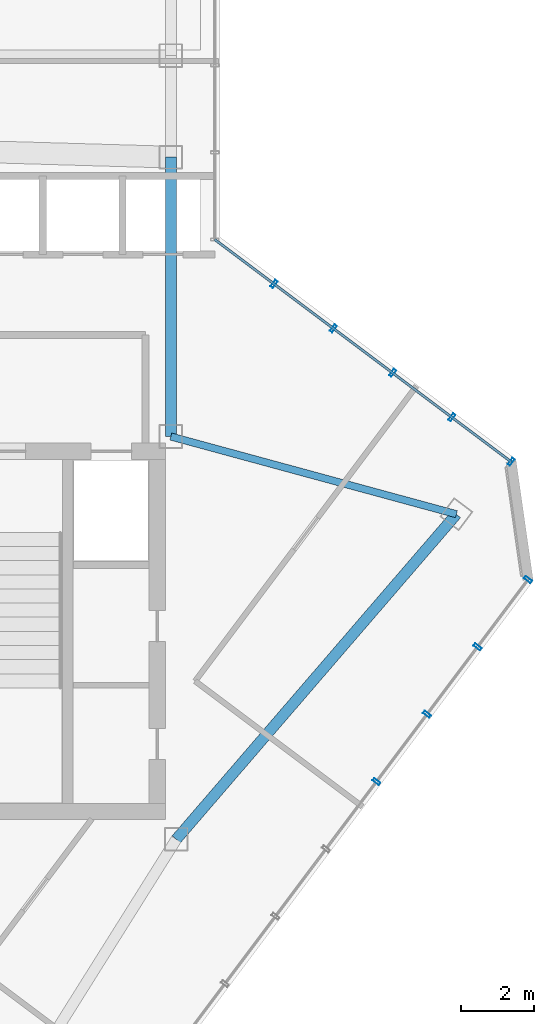
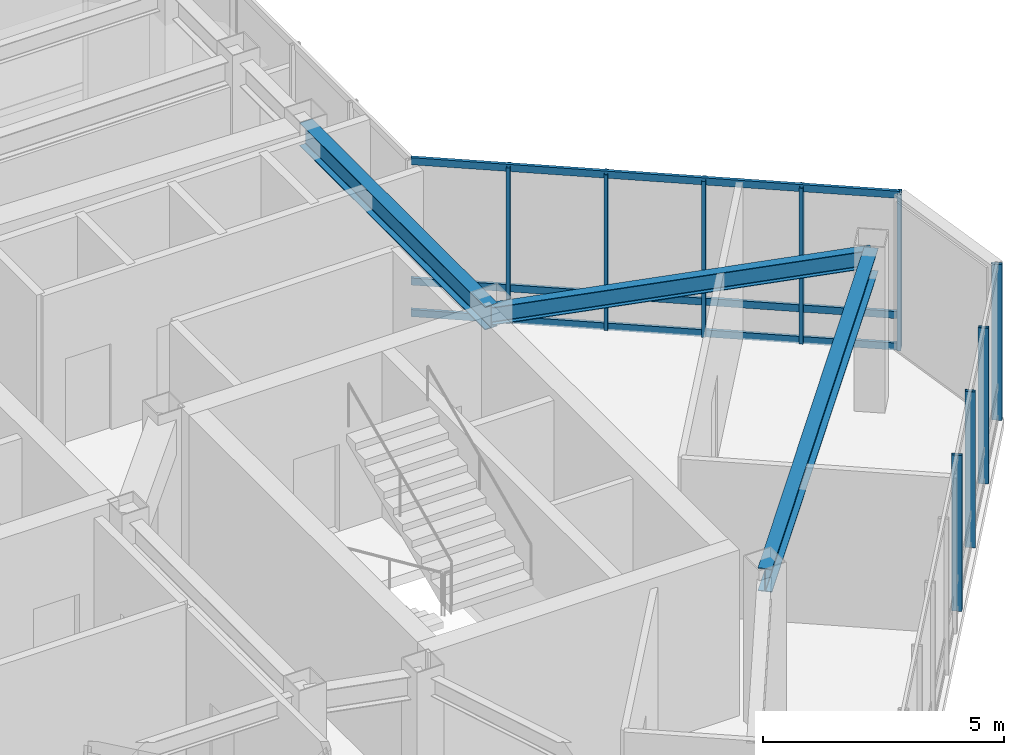
# One storey, part 11 of 22: 12 members, 3 beams, 2 elements without a shape of their own.
"""IFC4 building model written with IfcOpenShell, lengths in metres."""

import ifcopenshell
import ifcopenshell.guid

model = None  # the IFC model being written
_history = None  # IfcOwnerHistory: only IFC2X3 demands one
_inside = {}  # id of a spatial element -> (the spatial element, [elements in it])
_under = {}  # id of a project, library or spatial element -> (it, [spatial elements below it])
_declared = {}  # id of a project -> (the project, [libraries it declares])
_typed = {}  # id of a type object -> (the type object, [elements of that type])
_made_of = {}  # id of a material, layer set ... -> (it, [elements and type objects made of it])


def new_model(schema):
    """Start an empty IFC model of exactly this schema.

    Asked for "IFC4X3", IfcOpenShell would pick the latest addendum, in which some entities
    have other attributes; the version numbers below select the first issue.
    IFC2X3 requires an IfcOwnerHistory on every rooted entity: one is made here for all.
    """
    global model, _history
    if schema == "IFC4X3":
        model = ifcopenshell.file(schema_version=(4, 3, 0, 0))
    else:
        model = ifcopenshell.file(schema=schema)
    _inside.clear()
    _under.clear()
    _declared.clear()
    _typed.clear()
    _made_of.clear()
    _history = None
    if model.schema == "IFC2X3":
        org = make("IfcOrganization", Name="unknown")
        user = make(
            "IfcPersonAndOrganization",
            ThePerson=make("IfcPerson", FamilyName="unknown"),
            TheOrganization=org,
        )
        app = make(
            "IfcApplication",
            ApplicationDeveloper=org,
            Version="unknown",
            ApplicationFullName="unknown",
            ApplicationIdentifier="unknown",
        )
        _history = make(
            "IfcOwnerHistory",
            OwningUser=user,
            OwningApplication=app,
            ChangeAction="ADDED",
            CreationDate=0,
        )
    return model


def make(cls, **values):
    """One entity of the class cls with the attributes given. An attribute that is None is left unset."""
    return model.create_entity(
        cls, **{name: value for name, value in values.items() if value is not None}
    )


def rooted(cls, **values):
    """An entity with a GlobalId (a new one), such as an element, a storey or a relation."""
    return make(cls, GlobalId=ifcopenshell.guid.new(), OwnerHistory=_history, **values)


def si_unit(unit_type, name, prefix=None):
    """IfcSIUnit, for example si_unit("LENGTHUNIT", "METRE", prefix="MILLI")."""
    return make("IfcSIUnit", UnitType=unit_type, Prefix=prefix, Name=name)


def assignment(units):
    """IfcUnitAssignment: the units of a project."""
    return None if units is None else make("IfcUnitAssignment", Units=units)


def point(xyz):
    """IfcCartesianPoint."""
    return None if xyz is None else make("IfcCartesianPoint", Coordinates=xyz)


def direction(xyz):
    """IfcDirection."""
    return None if xyz is None else make("IfcDirection", DirectionRatios=xyz)


def frame(location, z_axis=None, x_axis=None):
    """IfcAxis2Placement3D, a coordinate frame: its origin and axes. An axis left out is left unset."""
    return make(
        "IfcAxis2Placement3D",
        Location=point(location),
        Axis=direction(z_axis),
        RefDirection=direction(x_axis),
    )


def frame_2d(location, x_axis=None):
    """IfcAxis2Placement2D, a coordinate frame in the plane: its origin and x axis."""
    return make(
        "IfcAxis2Placement2D", Location=point(location), RefDirection=direction(x_axis)
    )


def origin():
    """The frame at (0, 0, 0) with its axes left unset."""
    return frame((0.0, 0.0, 0.0))


def origin_2d():
    """The frame at (0, 0) in the plane with its x axis left unset."""
    return frame_2d((0.0, 0.0))


def place(relative_to, where):
    """IfcLocalPlacement: puts the frame where relative to a parent placement (None: the world)."""
    return make(
        "IfcLocalPlacement", PlacementRelTo=relative_to, RelativePlacement=where
    )


def context(
    kind, dimensions, precision=None, world=None, true_north=None, identifier=None
):
    """IfcGeometricRepresentationContext, for example the 3D "Model" context."""
    return make(
        "IfcGeometricRepresentationContext",
        ContextIdentifier=identifier,
        ContextType=kind,
        CoordinateSpaceDimension=dimensions,
        Precision=precision,
        WorldCoordinateSystem=world,
        TrueNorth=true_north,
    )


def subcontext(parent, identifier, kind, view, scale=None):
    """IfcGeometricRepresentationSubContext, for example "Body" below "Model"."""
    return make(
        "IfcGeometricRepresentationSubContext",
        ContextIdentifier=identifier,
        ContextType=kind,
        ParentContext=parent,
        TargetScale=scale,
        TargetView=view,
    )


def project(units=None, contexts=None):
    """IfcProject with its units and contexts."""
    return rooted(
        "IfcProject",
        Name="project",
        RepresentationContexts=contexts,
        UnitsInContext=assignment(units),
    )


def spatial(cls, under=None, at=None, **own):
    """A site, building, storey or space (cls), placed at a placement, below another one or the project."""
    s = rooted(cls, ObjectPlacement=at, **own)
    if under is not None:
        _under.setdefault(under.id(), (under, []))[1].append(s)
    return s


def profile(cls, at=None, kind="AREA", **sizes):
    """A parametric profile (cls). Its sizes go by their IFC names, for example OverallWidth=200.0."""
    return make(cls, ProfileType=kind, Position=at, **sizes)


def hollow_rectangle(**sizes):
    """IfcRectangleHollowProfileDef."""
    return profile("IfcRectangleHollowProfileDef", **sizes)


def i_section(**sizes):
    """IfcIShapeProfileDef."""
    return profile("IfcIShapeProfileDef", **sizes)


def extrude(swept, where, along, depth):
    """IfcExtrudedAreaSolid: the profile swept, set in the frame where, extruded along a direction by depth."""
    return make(
        "IfcExtrudedAreaSolid",
        SweptArea=swept,
        Position=where,
        ExtrudedDirection=direction(along),
        Depth=depth,
    )


def shape(context_of_items, identifier, shape_type, items):
    """IfcShapeRepresentation: the items that make up one representation, for example the "Body"."""
    return make(
        "IfcShapeRepresentation",
        ContextOfItems=context_of_items,
        RepresentationIdentifier=identifier,
        RepresentationType=shape_type,
        Items=items,
    )


def material(Name=None, Category=None):
    """IfcMaterial."""
    return make("IfcMaterial", Name=Name, Category=Category)


def layer(
    of_material, thickness, ventilated=None, Name=None, Category=None, Priority=None
):
    """IfcMaterialLayer: one layer of a wall or slab, of a material (None: an air gap)."""
    return make(
        "IfcMaterialLayer",
        Material=of_material,
        LayerThickness=thickness,
        IsVentilated=ventilated,
        Name=Name,
        Category=Category,
        Priority=Priority,
    )


def layer_set(layers, Name=None):
    """IfcMaterialLayerSet."""
    return make("IfcMaterialLayerSet", MaterialLayers=layers, LayerSetName=Name)


def material_profile(
    of_material, cross_section, Name=None, Category=None, Priority=None
):
    """IfcMaterialProfile: a cross section and its material."""
    return make(
        "IfcMaterialProfile",
        Name=Name,
        Material=of_material,
        Profile=cross_section,
        Priority=Priority,
        Category=Category,
    )


def profile_set(profiles, Name=None, composite=None):
    """IfcMaterialProfileSet."""
    return make(
        "IfcMaterialProfileSet",
        Name=Name,
        MaterialProfiles=profiles,
        CompositeProfile=composite,
    )


def made_of(thing, what):
    """Note that an element or type object is made of a material, layer set ...; save() writes the relation."""
    if what is not None:
        _made_of.setdefault(what.id(), (what, []))[1].append(thing)
    return thing


def type_object(cls, material=None, **own):
    """A type object (cls), such as IfcWallType, which elements share."""
    return made_of(rooted(cls, **own), material)


def element(
    cls,
    number,
    at=None,
    inside=None,
    cuts=None,
    type_object=None,
    material=None,
    context=None,
    identifier="Body",
    shape_type=None,
    held_by="IfcProductDefinitionShape",
    body=None,
    shapes=None,
    **own,
):
    """One element of the class cls, such as IfcWall. Its Tag is "e" and its number.

    at: its placement. inside: the storey or other place that contains it. cuts: it is an
    opening in that element (IfcRelVoidsElement). A single representation is given by context,
    identifier, shape_type and body (its items); several are given by shapes. held_by: the class
    of the entity that holds the representations. save() writes the other relations.
    """
    e = rooted(cls, Tag="e%d" % number, ObjectPlacement=at, **own)
    if body is not None:
        shapes = [shape(context, identifier, shape_type, body)]
    if shapes is not None:
        e.Representation = make(held_by, Representations=shapes)
    if inside is not None:
        _inside.setdefault(inside.id(), (inside, []))[1].append(e)
    if cuts is not None:
        rooted(
            "IfcRelVoidsElement", RelatingBuildingElement=cuts, RelatedOpeningElement=e
        )
    if type_object is not None:
        _typed.setdefault(type_object.id(), (type_object, []))[1].append(e)
    return made_of(e, material)


def aggregate(whole, parts):
    """IfcRelAggregates: a whole, such as a stair, and the parts it consists of."""
    return rooted("IfcRelAggregates", RelatingObject=whole, RelatedObjects=parts)


def save(model, path):
    """Write the relations noted so far, then the file.

    IfcRelAggregates (storeys below a building ...), IfcRelContainedInSpatialStructure (elements
    in a storey), IfcRelDefinesByType, IfcRelAssociatesMaterial and IfcRelDeclares: one each for
    every whole, place, type object, material and project.
    """
    for whole, parts in _under.values():
        aggregate(whole, parts)
    for where, things in _inside.values():
        rooted(
            "IfcRelContainedInSpatialStructure",
            RelatedElements=things,
            RelatingStructure=where,
        )
    for kind, things in _typed.values():
        rooted("IfcRelDefinesByType", RelatedObjects=things, RelatingType=kind)
    for what, things in _made_of.values():
        rooted("IfcRelAssociatesMaterial", RelatedObjects=things, RelatingMaterial=what)
    for by, libraries in _declared.values():
        rooted("IfcRelDeclares", RelatingContext=by, RelatedDefinitions=libraries)
    model.write(path)


model = new_model("IFC4")

# Units and contexts
model_context = context("Model", 3, precision=1e-05, world=origin(), true_north=direction((0.0, 1.0)))
body_context = subcontext(model_context, "Body", "Model", "MODEL_VIEW")
ifc_project = project(units=[si_unit("LENGTHUNIT", "METRE"), si_unit("AREAUNIT", "SQUARE_METRE"), si_unit("VOLUMEUNIT", "CUBIC_METRE"), si_unit("PLANEANGLEUNIT", "RADIAN"), si_unit("MASSUNIT", "GRAM", prefix="KILO")], contexts=[model_context])

# Site, building, storey
site_placement = place(None, origin())
site = spatial("IfcSite", under=ifc_project, at=site_placement, CompositionType="ELEMENT")
building_placement = place(site_placement, origin())
building = spatial("IfcBuilding", under=site, at=building_placement, Name="Hatsunagi Terrace Concourse", CompositionType="ELEMENT")
storey_placement = place(building_placement, frame((0.0, 0.0, 257.550048828125)))
storey = spatial("IfcBuildingStorey", under=building, at=storey_placement, Name="L68", CompositionType="ELEMENT", Elevation=257.550048828125)

# Curtain wall, members
ifc_material_1 = material(Name="Anodised Aluminium Alloy 6063-T5", Category="aluminium")
ifc_layer = layer(ifc_material_1, 0.199951171875)
ifc_layer_set = layer_set([ifc_layer], Name="SkyLobbyAtrium_CW05")
curtain_wall_type = type_object("IfcCurtainWallType", Name="SkyLobbyAtrium_CW05", PredefinedType="NOTDEFINED", material=ifc_layer_set)
curtain_wall_1_placement = place(storey_placement, origin())
curtain_wall_1 = element("IfcCurtainWall", 1, at=curtain_wall_1_placement, inside=storey, type_object=curtain_wall_type, Name="Unitised Curtain Wall CW-05 CW-L68-06", PredefinedType="NOTDEFINED")
ifc_material_2 = material(Name="Anodised Aluminium Alloy 6063-T5", Category="aluminium")
ifc_material_profile_1 = material_profile(ifc_material_2, hollow_rectangle(XDim=0.080078125, YDim=0.219970703125, WallThickness=0.0048828125, at=origin_2d()), Name="ALU-MUL-220x80x5")
ifc_profile_set_1 = profile_set([ifc_material_profile_1], Name="Anodised Aluminium Alloy 6063-T5")
member_type_1 = type_object("IfcMemberType", Name="CurtainWallMullion_Heavy_220x80", PredefinedType="MULLION", material=ifc_profile_set_1)
member_1_placement = place(storey_placement, frame((46.493896484375, 39.5048828125, 0.0), z_axis=(0.0, 0.0, 1.0), x_axis=(0.800023013105, -0.599969314634, 0.0)))
member_1 = element("IfcMember", 2, at=member_1_placement, type_object=member_type_1, Name="Curtain Wall Mullion MUL-01", PredefinedType="MULLION", context=body_context, shape_type="SweptSolid", body=[
    extrude(hollow_rectangle(XDim=0.080078125, YDim=0.219970703125, WallThickness=0.0048828125, at=origin_2d()), origin(), (0.0, 0.0, 1.0), 3.949951171875),
])
member_2_placement = place(storey_placement, frame((48.1279296875, 38.279052734375, 0.0), z_axis=(0.0, 0.0, 1.0), x_axis=(0.800023013105, -0.599969314634, 0.0)))
member_2 = element("IfcMember", 3, at=member_2_placement, type_object=member_type_1, Name="Curtain Wall Mullion MUL-01", PredefinedType="MULLION", context=body_context, shape_type="SweptSolid", body=[
    extrude(hollow_rectangle(XDim=0.080078125, YDim=0.219970703125, WallThickness=0.0048828125, at=origin_2d()), origin(), (0.0, 0.0, 1.0), 3.949951171875),
])
member_3_placement = place(storey_placement, frame((49.761962890625, 37.053955078125, 0.0), z_axis=(0.0, 0.0, 1.0), x_axis=(0.800023013105, -0.599969314634, 0.0)))
member_3 = element("IfcMember", 4, at=member_3_placement, type_object=member_type_1, Name="Curtain Wall Mullion MUL-01", PredefinedType="MULLION", context=body_context, shape_type="SweptSolid", body=[
    extrude(hollow_rectangle(XDim=0.080078125, YDim=0.219970703125, WallThickness=0.0048828125, at=origin_2d()), origin(), (0.0, 0.0, 1.0), 3.949951171875),
])
member_4_placement = place(storey_placement, frame((51.39599609375, 35.827880859375, 0.0), z_axis=(0.0, 0.0, 1.0), x_axis=(0.800023013105, -0.599969314634, 0.0)))
member_4 = element("IfcMember", 5, at=member_4_placement, type_object=member_type_1, Name="Curtain Wall Mullion MUL-01", PredefinedType="MULLION", context=body_context, shape_type="SweptSolid", body=[
    extrude(hollow_rectangle(XDim=0.080078125, YDim=0.219970703125, WallThickness=0.0048828125, at=origin_2d()), origin(), (0.0, 0.0, 1.0), 3.949951171875),
])
member_5_placement = place(storey_placement, frame((53.030029296875, 34.60302734375, 0.0), z_axis=(0.0, 0.0, 1.0), x_axis=(0.800023013105, -0.599969314634, 0.0)))
member_5 = element("IfcMember", 6, at=member_5_placement, type_object=member_type_1, Name="Curtain Wall Mullion MUL-01", PredefinedType="MULLION", context=body_context, shape_type="SweptSolid", body=[
    extrude(hollow_rectangle(XDim=0.080078125, YDim=0.219970703125, WallThickness=0.0048828125, at=origin_2d()), origin(), (0.0, 0.0, 1.0), 3.949951171875),
])

curtain_wall_2_placement = place(storey_placement, origin())
curtain_wall_2 = element("IfcCurtainWall", 7, at=curtain_wall_2_placement, inside=storey, type_object=curtain_wall_type, Name="Unitised Curtain Wall CW-05 CW-L68-08", PredefinedType="NOTDEFINED")
member_6_placement = place(storey_placement, frame((53.492919921875, 31.35791015625, 0.0), z_axis=(0.0, 0.0, 1.0), x_axis=(-0.599969314634, -0.800023013105, 0.0)))
member_6 = element("IfcMember", 8, at=member_6_placement, type_object=member_type_1, Name="Curtain Wall Mullion MUL-01", PredefinedType="MULLION", context=body_context, shape_type="SweptSolid", body=[
    extrude(hollow_rectangle(XDim=0.080078125, YDim=0.219970703125, WallThickness=0.0048828125, at=origin_2d()), origin(), (0.0, 0.0, 1.0), 3.949951171875),
])
member_7_placement = place(storey_placement, frame((52.10107421875, 29.501953125, 0.0), z_axis=(0.0, 0.0, 1.0), x_axis=(-0.599969314634, -0.800023013105, 0.0)))
member_7 = element("IfcMember", 9, at=member_7_placement, type_object=member_type_1, Name="Curtain Wall Mullion MUL-01", PredefinedType="MULLION", context=body_context, shape_type="SweptSolid", body=[
    extrude(hollow_rectangle(XDim=0.080078125, YDim=0.219970703125, WallThickness=0.0048828125, at=origin_2d()), origin(), (0.0, 0.0, 1.0), 3.949951171875),
])
member_8_placement = place(storey_placement, frame((50.708984375, 27.64501953125, 0.0), z_axis=(0.0, 0.0, 1.0), x_axis=(-0.599969314634, -0.800023013105, 0.0)))
member_8 = element("IfcMember", 10, at=member_8_placement, type_object=member_type_1, Name="Curtain Wall Mullion MUL-01", PredefinedType="MULLION", context=body_context, shape_type="SweptSolid", body=[
    extrude(hollow_rectangle(XDim=0.080078125, YDim=0.219970703125, WallThickness=0.0048828125, at=origin_2d()), origin(), (0.0, 0.0, 1.0), 3.949951171875),
])
member_9_placement = place(storey_placement, frame((49.31591796875, 25.7890625, 0.0), z_axis=(0.0, 0.0, 1.0), x_axis=(-0.599969314634, -0.800023013105, 0.0)))
member_9 = element("IfcMember", 11, at=member_9_placement, type_object=member_type_1, Name="Curtain Wall Mullion MUL-01", PredefinedType="MULLION", context=body_context, shape_type="SweptSolid", body=[
    extrude(hollow_rectangle(XDim=0.080078125, YDim=0.219970703125, WallThickness=0.0048828125, at=origin_2d()), origin(), (0.0, 0.0, 1.0), 3.949951171875),
])
aggregate(curtain_wall_2, [member_6, member_7, member_8, member_9])

# Member
ifc_material_3 = material(Name="Anodised Aluminium Alloy 6063-T5", Category="aluminium")
ifc_material_profile_2 = material_profile(ifc_material_3, hollow_rectangle(XDim=0.070068359375, YDim=0.179931640625, WallThickness=0.00390625, at=origin_2d()), Name="ALU-TRN-180x70x4")
ifc_profile_set_2 = profile_set([ifc_material_profile_2], Name="Anodised Aluminium Alloy 6063-T5")
member_type_2 = type_object("IfcMemberType", Name="CurtainWallTransom_Heavy_180x70", PredefinedType="USERDEFINED", material=ifc_profile_set_2)
member_10_placement = place(storey_placement, frame((44.860107421875, 40.72998046875, 0.050048828125), z_axis=(0.800022950109, -0.599969398635, 0.0), x_axis=(0.599969398635, 0.800022950109, 0.0)))
member_10 = element("IfcMember", 12, at=member_10_placement, type_object=member_type_2, Name="Curtain Wall Transom TRN-01", ObjectType="TRANSOM", PredefinedType="USERDEFINED", context=body_context, shape_type="SweptSolid", body=[
    extrude(hollow_rectangle(XDim=0.070068359375, YDim=0.179931640625, WallThickness=0.00390625, at=origin_2d()), origin(), (0.0, 0.0, 1.0), 10.212158203125),
])

member_11_placement = place(storey_placement, frame((44.860107421875, 40.72998046875, 0.849853515625), z_axis=(0.800022950109, -0.599969398635, 0.0), x_axis=(0.599969398635, 0.800022950109, 0.0)))
member_11 = element("IfcMember", 13, at=member_11_placement, type_object=member_type_2, Name="Curtain Wall Transom TRN-01", ObjectType="TRANSOM", PredefinedType="USERDEFINED", context=body_context, shape_type="SweptSolid", body=[
    extrude(hollow_rectangle(XDim=0.070068359375, YDim=0.179931640625, WallThickness=0.00390625, at=origin_2d()), origin(), (0.0, 0.0, 1.0), 10.212158203125),
])

member_12_placement = place(storey_placement, frame((44.860107421875, 40.72998046875, 3.89990234375), z_axis=(0.800022950109, -0.599969398635, 0.0), x_axis=(0.599969398635, 0.800022950109, 0.0)))
member_12 = element("IfcMember", 14, at=member_12_placement, type_object=member_type_2, Name="Curtain Wall Transom TRN-01", ObjectType="TRANSOM", PredefinedType="USERDEFINED", context=body_context, shape_type="SweptSolid", body=[
    extrude(hollow_rectangle(XDim=0.070068359375, YDim=0.179931640625, WallThickness=0.00390625, at=origin_2d()), origin(), (0.0, 0.0, 1.0), 10.212158203125),
])

aggregate(curtain_wall_1, [member_1, member_2, member_3, member_4, member_5, member_10, member_11, member_12])

# Beams
ifc_material_4 = material(Name="Steel SN490B", Category="steel")
ifc_material_profile_3 = material_profile(ifc_material_4, i_section(OverallWidth=0.300048828125, OverallDepth=0.587890625, WebThickness=0.011962890625, FlangeThickness=0.02001953125, FilletRadius=0.01806640625, at=origin_2d()), Name="H-588x300x12x20")
ifc_profile_set_3 = profile_set([ifc_material_profile_3], Name="Steel SN490B")
beam_type_1 = type_object("IfcBeamType", Name="OfficeHighGirder_H_588x300", PredefinedType="BEAM", material=ifc_profile_set_3)
beam_1_placement = place(storey_placement, frame((43.64990234375, 35.300048828125, 3.656005859375), z_axis=(0.0, 1.0, 0.0), x_axis=(-1.0, 0.0, 0.0)))
element("IfcBeam", 15, at=beam_1_placement, inside=storey, type_object=beam_type_1, Name="Beam G-06 BM-L68-CBK3", PredefinedType="BEAM", context=body_context, shape_type="SweptSolid", body=[
    extrude(i_section(OverallWidth=0.300048828125, OverallDepth=0.587890625, WebThickness=0.011962890625, FlangeThickness=0.02001953125, FilletRadius=0.01806640625, at=origin_2d()), origin(), (0.0, 0.0, 1.0), 7.699951171875),
])
beam_2_placement = place(storey_placement, frame((43.800048828125, 24.199951171875, 3.656005859375), z_axis=(0.652739101421, 0.757582777969, 0.0), x_axis=(-0.757582777969, 0.652739101421, 0.0)))
element("IfcBeam", 16, at=beam_2_placement, inside=storey, type_object=beam_type_1, Name="Beam G-06 BM-L68-SET-1B", PredefinedType="BEAM", context=body_context, shape_type="SweptSolid", body=[
    extrude(i_section(OverallWidth=0.300048828125, OverallDepth=0.587890625, WebThickness=0.011962890625, FlangeThickness=0.02001953125, FilletRadius=0.01806640625, at=origin_2d()), origin(), (0.0, 0.0, 1.0), 11.8271484375),
])
ifc_material_5 = material(Name="Steel SN490B", Category="steel")
ifc_material_profile_4 = material_profile(ifc_material_5, i_section(OverallWidth=0.199951171875, OverallDepth=0.449951171875, WebThickness=0.009033203125, FlangeThickness=0.013916015625, FilletRadius=0.01611328125, at=origin_2d()), Name="H-450x200x9x14")
ifc_profile_set_4 = profile_set([ifc_material_profile_4], Name="Steel SN490B")
beam_type_2 = type_object("IfcBeamType", Name="PerimeterSpandrel_H_450x200", PredefinedType="SPANDREL", material=ifc_profile_set_4)
beam_3_placement = place(storey_placement, frame((43.64990234375, 35.300048828125, 3.724853515625), z_axis=(0.964958359286, -0.262403057994, 0.0), x_axis=(0.262403057994, 0.964958359286, 0.0)))
element("IfcBeam", 17, at=beam_3_placement, inside=storey, type_object=beam_type_2, Name="Beam SP-02 BM-L68-SE-NE0", PredefinedType="SPANDREL", context=body_context, shape_type="SweptSolid", body=[
    extrude(i_section(OverallWidth=0.199951171875, OverallDepth=0.449951171875, WebThickness=0.009033203125, FlangeThickness=0.013916015625, FilletRadius=0.01611328125, at=origin_2d()), origin(), (0.0, 0.0, 1.0), 8.156005859375),
])

save(model, "model.ifc")
